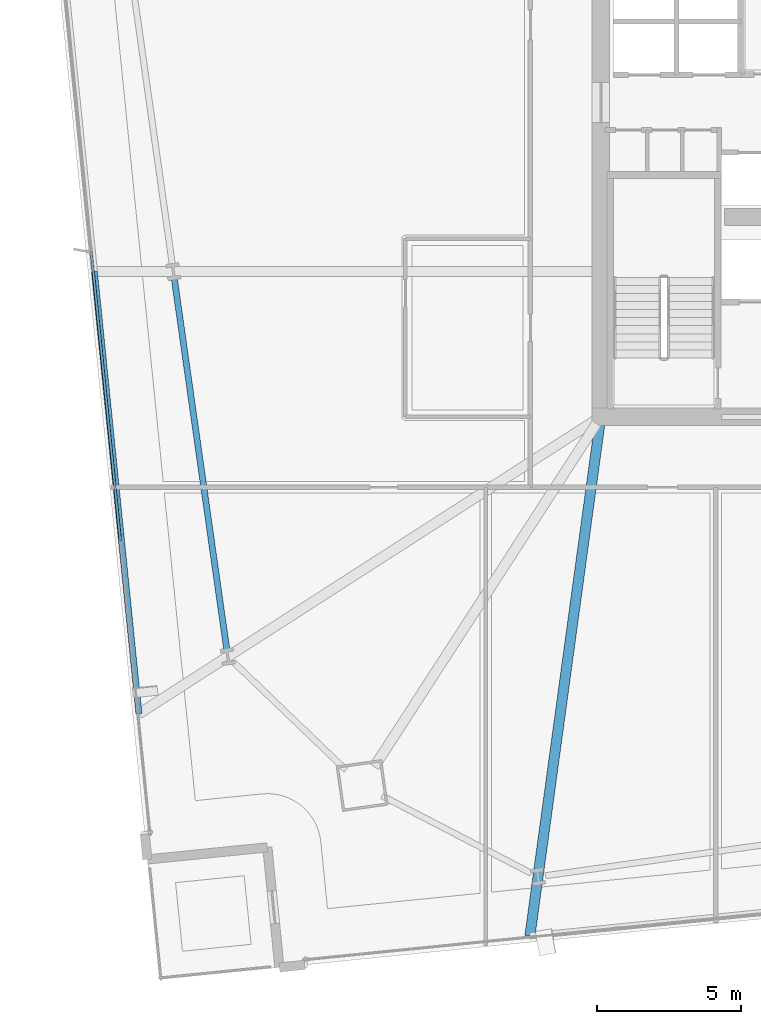
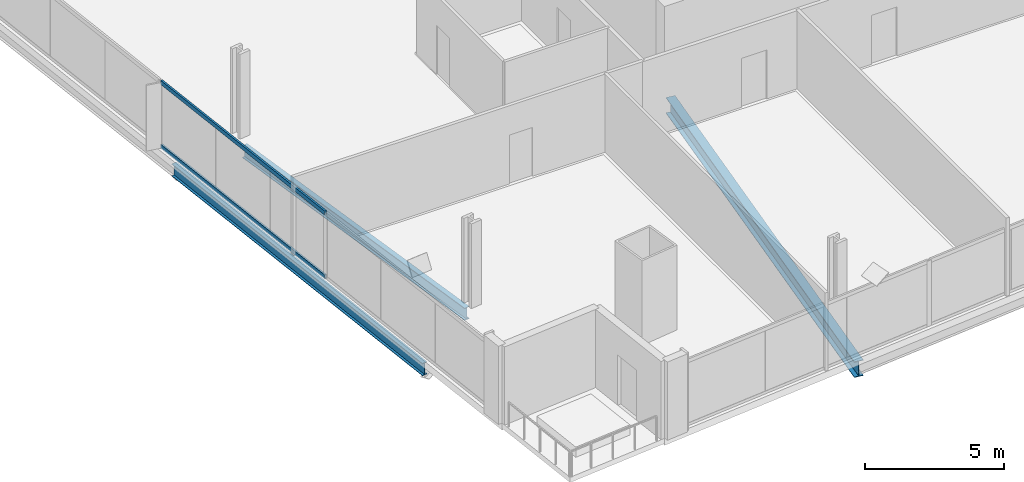
# One storey, part 6 of 33: 3 beams, 2 members, 1 element without a shape of its own.
"""IFC4 building model written with IfcOpenShell, lengths in metres."""

from ifc_helpers import new_model, si_unit, direction, frame, origin, origin_2d, place, context, subcontext, project, spatial, hollow_rectangle, i_section, extrude, material, material_profile, profile_set, type_object, element, aggregate, save


model = new_model("IFC4")

# Units and contexts
model_context = context("Model", 3, precision=1e-05, world=origin(), true_north=direction((0.0, 1.0)))
body_context = subcontext(model_context, "Body", "Model", "MODEL_VIEW")
ifc_project = project(units=[si_unit("LENGTHUNIT", "METRE"), si_unit("AREAUNIT", "SQUARE_METRE"), si_unit("VOLUMEUNIT", "CUBIC_METRE"), si_unit("PLANEANGLEUNIT", "RADIAN"), si_unit("MASSUNIT", "GRAM", prefix="KILO")], contexts=[model_context])

# Site, building, storey
site_placement = place(None, origin())
site = spatial("IfcSite", under=ifc_project, at=site_placement, CompositionType="ELEMENT")
building_placement = place(site_placement, origin())
building = spatial("IfcBuilding", under=site, at=building_placement, Name="Haldenkirk Collegiate Tower", CompositionType="ELEMENT")
storey_placement = place(building_placement, frame((0.0, 0.0, 47.699951171875)))
storey = spatial("IfcBuildingStorey", under=building, at=storey_placement, Name="L10", CompositionType="ELEMENT", Elevation=47.699951171875)

# Beams
ifc_material_1 = material(Name="Steel ASTM A992 Grade 50", Category="steel")
ifc_material_profile_1 = material_profile(ifc_material_1, i_section(OverallWidth=0.35498046875, OverallDepth=0.696044921875, WebThickness=0.015380859375, FlangeThickness=0.02490234375, at=origin_2d()), Name="W27X146")
ifc_profile_set_1 = profile_set([ifc_material_profile_1], Name="Steel ASTM A992 Grade 50")
beam_type_1 = type_object("IfcBeamType", Name="BM-GIRDER-W27X146", PredefinedType="BEAM", material=ifc_profile_set_1)
beam_1_placement = place(storey_placement, frame((24.5341796875, -0.059814453125, -0.657958984375), z_axis=(0.135282565162, 0.990807058697, 0.0), x_axis=(-0.990807058697, 0.135282565162, 0.0)))
element("IfcBeam", 1, at=beam_1_placement, inside=storey, type_object=beam_type_1, Name="L10 primary floor girder 05", PredefinedType="BEAM", context=body_context, shape_type="SweptSolid", body=[
    extrude(i_section(OverallWidth=0.35498046875, OverallDepth=0.696044921875, WebThickness=0.015380859375, FlangeThickness=0.02490234375, at=origin_2d()), origin(), (0.0, 0.0, 1.0), 17.947509765625),
])
ifc_material_profile_2 = material_profile(ifc_material_1, i_section(OverallWidth=0.2119140625, OverallDepth=0.5439453125, WebThickness=0.01318359375, FlangeThickness=0.021240234375, at=origin_2d()), Name="W21X83")
ifc_profile_set_2 = profile_set([ifc_material_profile_2], Name="Steel ASTM A992 Grade 50")
beam_type_2 = type_object("IfcBeamType", Name="BM-SPANDREL-W21X83", PredefinedType="SPANDREL", material=ifc_profile_set_2)
beam_2_placement = place(storey_placement, frame((12.16455078125, 22.791015625, -0.58203125), z_axis=(0.140043508171, -0.990145350855, 0.0), x_axis=(0.990145350855, 0.140043508171, 0.0)))
element("IfcBeam", 2, at=beam_2_placement, inside=storey, type_object=beam_type_2, Name="L10 perimeter spandrel beam 15", PredefinedType="SPANDREL", context=body_context, shape_type="SweptSolid", body=[
    extrude(i_section(OverallWidth=0.2119140625, OverallDepth=0.5439453125, WebThickness=0.01318359375, FlangeThickness=0.021240234375, at=origin_2d()), origin(), (0.0, 0.0, 1.0), 13.0),
])
beam_3_placement = place(storey_placement, frame((9.38134765625, 23.052978515625, -0.58203125), z_axis=(0.10019317842, -0.994968003002, 0.0), x_axis=(0.994968003002, 0.10019317842, 0.0)))
element("IfcBeam", 3, at=beam_3_placement, inside=storey, type_object=beam_type_2, Name="L10 outer facade edge beam 4B", PredefinedType="SPANDREL", context=body_context, shape_type="SweptSolid", body=[
    extrude(i_section(OverallWidth=0.2119140625, OverallDepth=0.5439453125, WebThickness=0.01318359375, FlangeThickness=0.021240234375, at=origin_2d()), origin(), (0.0, 0.0, 1.0), 15.4609375),
])

# Curtain wall, members
ifc_material_2 = material(Name="Anodised architectural bronze aluminium", Category="aluminium")
curtain_wall_type = type_object("IfcCurtainWallType", Name="CW-SYS1-CONVEX-LOW", PredefinedType="USERDEFINED", material=ifc_material_2)
curtain_wall_placement = place(storey_placement, origin())
curtain_wall = element("IfcCurtainWall", 4, at=curtain_wall_placement, inside=storey, type_object=curtain_wall_type, Name="L10 Lower tower convex bronze-framed unitised curtain wall", ObjectType="UNITISED CURTAIN WALL", PredefinedType="USERDEFINED")
ifc_material_profile_3 = material_profile(ifc_material_2, hollow_rectangle(XDim=0.080078125, YDim=0.179931640625, WallThickness=0.0048828125, at=origin_2d()), Name="CW-TRN-1A")
ifc_profile_set_3 = profile_set([ifc_material_profile_3], Name="Anodised architectural bronze aluminium")
member_type = type_object("IfcMemberType", Name="CW-TRN-1A", PredefinedType="USERDEFINED", material=ifc_profile_set_3)
member_1_placement = place(storey_placement, frame((10.28271484375, 13.70166015625, 0.0400390625), z_axis=(-0.100191619428, 0.994968159991, 0.0), x_axis=(-0.994968159991, -0.100191619428, 0.0)))
member_1 = element("IfcMember", 5, at=member_1_placement, type_object=member_type, Name="CW-1A transom 2.1", ObjectType="TRANSOM", PredefinedType="USERDEFINED", context=body_context, shape_type="SweptSolid", body=[
    extrude(hollow_rectangle(XDim=0.080078125, YDim=0.179931640625, WallThickness=0.0048828125, at=origin_2d()), origin(), (0.0, 0.0, 1.0), 10.119873046875),
])
member_2_placement = place(storey_placement, frame((10.28271484375, 13.70166015625, 2.85107421875), z_axis=(-0.100191619428, 0.994968159991, 0.0), x_axis=(-0.994968159991, -0.100191619428, 0.0)))
member_2 = element("IfcMember", 6, at=member_2_placement, type_object=member_type, Name="CW-1A transom 2.2", ObjectType="TRANSOM", PredefinedType="USERDEFINED", context=body_context, shape_type="SweptSolid", body=[
    extrude(hollow_rectangle(XDim=0.080078125, YDim=0.179931640625, WallThickness=0.0048828125, at=origin_2d()), origin(), (0.0, 0.0, 1.0), 10.119873046875),
])
aggregate(curtain_wall, [member_1, member_2])

save(model, "model.ifc")
